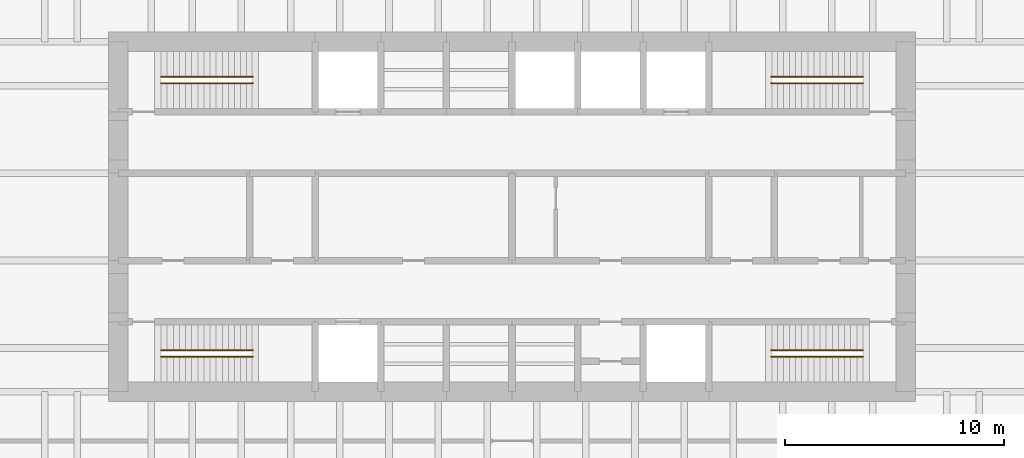
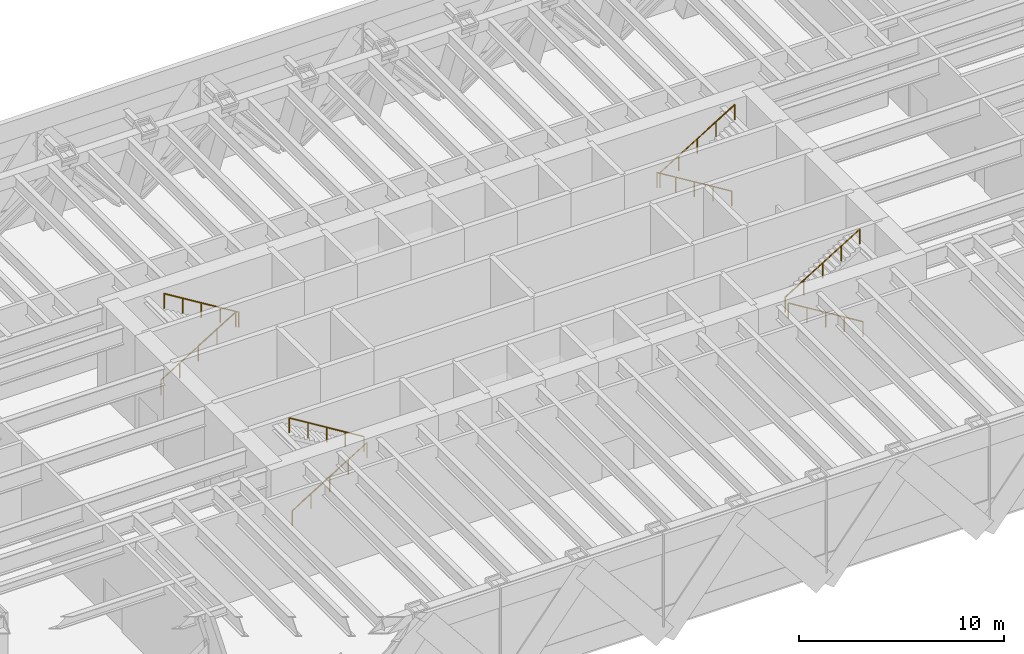
# One storey, part 16 of 16: 8 railings.
"""IFC4 building model written with IfcOpenShell, lengths in metres."""

import ifcopenshell
import ifcopenshell.guid

model = None  # the IFC model being written
_history = None  # IfcOwnerHistory: only IFC2X3 demands one
_inside = {}  # id of a spatial element -> (the spatial element, [elements in it])
_under = {}  # id of a project, library or spatial element -> (it, [spatial elements below it])
_declared = {}  # id of a project -> (the project, [libraries it declares])
_typed = {}  # id of a type object -> (the type object, [elements of that type])
_made_of = {}  # id of a material, layer set ... -> (it, [elements and type objects made of it])


def new_model(schema):
    """Start an empty IFC model of exactly this schema.

    Asked for "IFC4X3", IfcOpenShell would pick the latest addendum, in which some entities
    have other attributes; the version numbers below select the first issue.
    IFC2X3 requires an IfcOwnerHistory on every rooted entity: one is made here for all.
    """
    global model, _history
    if schema == "IFC4X3":
        model = ifcopenshell.file(schema_version=(4, 3, 0, 0))
    else:
        model = ifcopenshell.file(schema=schema)
    _inside.clear()
    _under.clear()
    _declared.clear()
    _typed.clear()
    _made_of.clear()
    _history = None
    if model.schema == "IFC2X3":
        org = make("IfcOrganization", Name="unknown")
        user = make(
            "IfcPersonAndOrganization",
            ThePerson=make("IfcPerson", FamilyName="unknown"),
            TheOrganization=org,
        )
        app = make(
            "IfcApplication",
            ApplicationDeveloper=org,
            Version="unknown",
            ApplicationFullName="unknown",
            ApplicationIdentifier="unknown",
        )
        _history = make(
            "IfcOwnerHistory",
            OwningUser=user,
            OwningApplication=app,
            ChangeAction="ADDED",
            CreationDate=0,
        )
    return model


def make(cls, **values):
    """One entity of the class cls with the attributes given. An attribute that is None is left unset."""
    return model.create_entity(
        cls, **{name: value for name, value in values.items() if value is not None}
    )


def rooted(cls, **values):
    """An entity with a GlobalId (a new one), such as an element, a storey or a relation."""
    return make(cls, GlobalId=ifcopenshell.guid.new(), OwnerHistory=_history, **values)


def si_unit(unit_type, name, prefix=None):
    """IfcSIUnit, for example si_unit("LENGTHUNIT", "METRE", prefix="MILLI")."""
    return make("IfcSIUnit", UnitType=unit_type, Prefix=prefix, Name=name)


def assignment(units):
    """IfcUnitAssignment: the units of a project."""
    return None if units is None else make("IfcUnitAssignment", Units=units)


def point(xyz):
    """IfcCartesianPoint."""
    return None if xyz is None else make("IfcCartesianPoint", Coordinates=xyz)


def direction(xyz):
    """IfcDirection."""
    return None if xyz is None else make("IfcDirection", DirectionRatios=xyz)


def frame(location, z_axis=None, x_axis=None):
    """IfcAxis2Placement3D, a coordinate frame: its origin and axes. An axis left out is left unset."""
    return make(
        "IfcAxis2Placement3D",
        Location=point(location),
        Axis=direction(z_axis),
        RefDirection=direction(x_axis),
    )


def frame_2d(location, x_axis=None):
    """IfcAxis2Placement2D, a coordinate frame in the plane: its origin and x axis."""
    return make(
        "IfcAxis2Placement2D", Location=point(location), RefDirection=direction(x_axis)
    )


def origin():
    """The frame at (0, 0, 0) with its axes left unset."""
    return frame((0.0, 0.0, 0.0))


def origin_2d():
    """The frame at (0, 0) in the plane with its x axis left unset."""
    return frame_2d((0.0, 0.0))


def place(relative_to, where):
    """IfcLocalPlacement: puts the frame where relative to a parent placement (None: the world)."""
    return make(
        "IfcLocalPlacement", PlacementRelTo=relative_to, RelativePlacement=where
    )


def context(
    kind, dimensions, precision=None, world=None, true_north=None, identifier=None
):
    """IfcGeometricRepresentationContext, for example the 3D "Model" context."""
    return make(
        "IfcGeometricRepresentationContext",
        ContextIdentifier=identifier,
        ContextType=kind,
        CoordinateSpaceDimension=dimensions,
        Precision=precision,
        WorldCoordinateSystem=world,
        TrueNorth=true_north,
    )


def subcontext(parent, identifier, kind, view, scale=None):
    """IfcGeometricRepresentationSubContext, for example "Body" below "Model"."""
    return make(
        "IfcGeometricRepresentationSubContext",
        ContextIdentifier=identifier,
        ContextType=kind,
        ParentContext=parent,
        TargetScale=scale,
        TargetView=view,
    )


def project(units=None, contexts=None):
    """IfcProject with its units and contexts."""
    return rooted(
        "IfcProject",
        Name="project",
        RepresentationContexts=contexts,
        UnitsInContext=assignment(units),
    )


def spatial(cls, under=None, at=None, **own):
    """A site, building, storey or space (cls), placed at a placement, below another one or the project."""
    s = rooted(cls, ObjectPlacement=at, **own)
    if under is not None:
        _under.setdefault(under.id(), (under, []))[1].append(s)
    return s


def profile(cls, at=None, kind="AREA", **sizes):
    """A parametric profile (cls). Its sizes go by their IFC names, for example OverallWidth=200.0."""
    return make(cls, ProfileType=kind, Position=at, **sizes)


def circle(**sizes):
    """IfcCircleProfileDef."""
    return profile("IfcCircleProfileDef", **sizes)


def extrude(swept, where, along, depth):
    """IfcExtrudedAreaSolid: the profile swept, set in the frame where, extruded along a direction by depth."""
    return make(
        "IfcExtrudedAreaSolid",
        SweptArea=swept,
        Position=where,
        ExtrudedDirection=direction(along),
        Depth=depth,
    )


def shape(context_of_items, identifier, shape_type, items):
    """IfcShapeRepresentation: the items that make up one representation, for example the "Body"."""
    return make(
        "IfcShapeRepresentation",
        ContextOfItems=context_of_items,
        RepresentationIdentifier=identifier,
        RepresentationType=shape_type,
        Items=items,
    )


def material(Name=None, Category=None):
    """IfcMaterial."""
    return make("IfcMaterial", Name=Name, Category=Category)


def made_of(thing, what):
    """Note that an element or type object is made of a material, layer set ...; save() writes the relation."""
    if what is not None:
        _made_of.setdefault(what.id(), (what, []))[1].append(thing)
    return thing


def type_object(cls, material=None, **own):
    """A type object (cls), such as IfcWallType, which elements share."""
    return made_of(rooted(cls, **own), material)


def element(
    cls,
    number,
    at=None,
    inside=None,
    cuts=None,
    type_object=None,
    material=None,
    context=None,
    identifier="Body",
    shape_type=None,
    held_by="IfcProductDefinitionShape",
    body=None,
    shapes=None,
    **own,
):
    """One element of the class cls, such as IfcWall. Its Tag is "e" and its number.

    at: its placement. inside: the storey or other place that contains it. cuts: it is an
    opening in that element (IfcRelVoidsElement). A single representation is given by context,
    identifier, shape_type and body (its items); several are given by shapes. held_by: the class
    of the entity that holds the representations. save() writes the other relations.
    """
    e = rooted(cls, Tag="e%d" % number, ObjectPlacement=at, **own)
    if body is not None:
        shapes = [shape(context, identifier, shape_type, body)]
    if shapes is not None:
        e.Representation = make(held_by, Representations=shapes)
    if inside is not None:
        _inside.setdefault(inside.id(), (inside, []))[1].append(e)
    if cuts is not None:
        rooted(
            "IfcRelVoidsElement", RelatingBuildingElement=cuts, RelatedOpeningElement=e
        )
    if type_object is not None:
        _typed.setdefault(type_object.id(), (type_object, []))[1].append(e)
    return made_of(e, material)


def aggregate(whole, parts):
    """IfcRelAggregates: a whole, such as a stair, and the parts it consists of."""
    return rooted("IfcRelAggregates", RelatingObject=whole, RelatedObjects=parts)


def save(model, path):
    """Write the relations noted so far, then the file.

    IfcRelAggregates (storeys below a building ...), IfcRelContainedInSpatialStructure (elements
    in a storey), IfcRelDefinesByType, IfcRelAssociatesMaterial and IfcRelDeclares: one each for
    every whole, place, type object, material and project.
    """
    for whole, parts in _under.values():
        aggregate(whole, parts)
    for where, things in _inside.values():
        rooted(
            "IfcRelContainedInSpatialStructure",
            RelatedElements=things,
            RelatingStructure=where,
        )
    for kind, things in _typed.values():
        rooted("IfcRelDefinesByType", RelatedObjects=things, RelatingType=kind)
    for what, things in _made_of.values():
        rooted("IfcRelAssociatesMaterial", RelatedObjects=things, RelatingMaterial=what)
    for by, libraries in _declared.values():
        rooted("IfcRelDeclares", RelatingContext=by, RelatedDefinitions=libraries)
    model.write(path)


model = new_model("IFC4")

# Units and contexts
model_context = context("Model", 3, precision=1e-05, world=origin(), true_north=direction((0.0, 1.0)))
body_context = subcontext(model_context, "Body", "Model", "MODEL_VIEW")
ifc_project = project(units=[si_unit("LENGTHUNIT", "METRE"), si_unit("AREAUNIT", "SQUARE_METRE"), si_unit("VOLUMEUNIT", "CUBIC_METRE"), si_unit("PLANEANGLEUNIT", "RADIAN"), si_unit("MASSUNIT", "GRAM", prefix="KILO")], contexts=[model_context])

# Site, building, storey
site_placement = place(None, origin())
site = spatial("IfcSite", under=ifc_project, at=site_placement, CompositionType="ELEMENT")
building_placement = place(site_placement, origin())
building = spatial("IfcBuilding", under=site, at=building_placement, Name="Rheinbord Bourse Tower", CompositionType="ELEMENT")
storey_placement = place(building_placement, frame((0.0, 0.0, 180.300048828125)))
storey = spatial("IfcBuildingStorey", under=building, at=storey_placement, Name="L40", CompositionType="ELEMENT", Elevation=180.300048828125)

# Railings
ifc_material = material(Name="Steel handrail", Category="steel")
railing_type = type_object("IfcRailingType", Name="HANDRAIL 900", PredefinedType="HANDRAIL", material=ifc_material)
railing_1_placement = place(storey_placement, frame((19.949951171875, 17.60009765625, 0.171875)))
element("IfcRailing", 1, at=railing_1_placement, inside=storey, type_object=railing_type, Name="Handrail", PredefinedType="HANDRAIL", context=body_context, shape_type="SweptSolid", body=[
    extrude(circle(Radius=0.02392578125, at=origin_2d()), frame((0.0, 0.0, 0.8759765625), z_axis=(0.852242915053, 0.0, 0.523146264196), x_axis=(0.0, 1.0, 0.0)), (0.0, 0.0, 1.0), 4.92822265625),
    extrude(circle(Radius=0.02099609375, at=origin_2d()), origin(), (0.0, 0.0, 1.0), 0.851806640625),
    extrude(circle(Radius=0.02099609375, at=origin_2d()), frame((1.050048828125, 0.0, 0.64453125)), (0.0, 0.0, 1.0), 0.851806640625),
    extrude(circle(Radius=0.02099609375, at=origin_2d()), frame((2.10009765625, 0.0, 1.2890625)), (0.0, 0.0, 1.0), 0.851806640625),
    extrude(circle(Radius=0.02099609375, at=origin_2d()), frame((3.14990234375, 0.0, 1.93359375)), (0.0, 0.0, 1.0), 0.851806640625),
    extrude(circle(Radius=0.02099609375, at=origin_2d()), frame((4.199951171875, 0.0, 2.578125)), (0.0, 0.0, 1.0), 0.851806640625),
])
railing_2_placement = place(storey_placement, frame((24.14990234375, 17.89990234375, 2.921875)))
element("IfcRailing", 2, at=railing_2_placement, inside=storey, type_object=railing_type, Name="Handrail", PredefinedType="HANDRAIL", context=body_context, shape_type="SweptSolid", body=[
    extrude(circle(Radius=0.02392578125, at=origin_2d()), frame((0.0, 0.0, 0.8759765625), z_axis=(-0.852242915053, 0.0, 0.523146264196), x_axis=(0.0, -1.0, 0.0)), (0.0, 0.0, 1.0), 4.92822265625),
    extrude(circle(Radius=0.02099609375, at=origin_2d()), origin(), (0.0, 0.0, 1.0), 0.851806640625),
    extrude(circle(Radius=0.02099609375, at=origin_2d()), frame((-1.050048828125, 0.0, 0.64453125)), (0.0, 0.0, 1.0), 0.851806640625),
    extrude(circle(Radius=0.02099609375, at=origin_2d()), frame((-2.10009765625, 0.0, 1.2890625)), (0.0, 0.0, 1.0), 0.851806640625),
    extrude(circle(Radius=0.02099609375, at=origin_2d()), frame((-3.14990234375, 0.0, 1.93359375)), (0.0, 0.0, 1.0), 0.851806640625),
    extrude(circle(Radius=0.02099609375, at=origin_2d()), frame((-4.199951171875, 0.0, 2.578125)), (0.0, 0.0, 1.0), 0.851806640625),
])
railing_3_placement = place(storey_placement, frame((19.949951171875, 30.39990234375, 0.171875)))
element("IfcRailing", 3, at=railing_3_placement, inside=storey, type_object=railing_type, Name="Handrail", PredefinedType="HANDRAIL", context=body_context, shape_type="SweptSolid", body=[
    extrude(circle(Radius=0.02392578125, at=origin_2d()), frame((0.0, 0.0, 0.8759765625), z_axis=(0.852242915053, 0.0, 0.523146264196), x_axis=(0.0, 1.0, 0.0)), (0.0, 0.0, 1.0), 4.92822265625),
    extrude(circle(Radius=0.02099609375, at=origin_2d()), origin(), (0.0, 0.0, 1.0), 0.851806640625),
    extrude(circle(Radius=0.02099609375, at=origin_2d()), frame((1.050048828125, 0.0, 0.64453125)), (0.0, 0.0, 1.0), 0.851806640625),
    extrude(circle(Radius=0.02099609375, at=origin_2d()), frame((2.10009765625, 0.0, 1.2890625)), (0.0, 0.0, 1.0), 0.851806640625),
    extrude(circle(Radius=0.02099609375, at=origin_2d()), frame((3.14990234375, 0.0, 1.93359375)), (0.0, 0.0, 1.0), 0.851806640625),
    extrude(circle(Radius=0.02099609375, at=origin_2d()), frame((4.199951171875, 0.0, 2.578125)), (0.0, 0.0, 1.0), 0.851806640625),
])
for number, where, name in (
    (4, (24.14990234375, 30.10009765625, 2.921875), "Handrail"),
    (5, (52.050048828125, 17.60009765625, 0.171875), "Handrail"),
):
    element("IfcRailing", number, at=place(storey_placement, frame(where)), inside=storey, type_object=railing_type, Name=name, PredefinedType="HANDRAIL", context=body_context, shape_type="SweptSolid", body=[
        extrude(circle(Radius=0.02392578125, at=origin_2d()), frame((0.0, 0.0, 0.8759765625), z_axis=(-0.852242915053, 0.0, 0.523146264196), x_axis=(0.0, -1.0, 0.0)), (0.0, 0.0, 1.0), 4.92822265625),
        extrude(circle(Radius=0.02099609375, at=origin_2d()), origin(), (0.0, 0.0, 1.0), 0.851806640625),
        extrude(circle(Radius=0.02099609375, at=origin_2d()), frame((-1.050048828125, 0.0, 0.64453125)), (0.0, 0.0, 1.0), 0.851806640625),
        extrude(circle(Radius=0.02099609375, at=origin_2d()), frame((-2.10009765625, 0.0, 1.2890625)), (0.0, 0.0, 1.0), 0.851806640625),
        extrude(circle(Radius=0.02099609375, at=origin_2d()), frame((-3.14990234375, 0.0, 1.93359375)), (0.0, 0.0, 1.0), 0.851806640625),
        extrude(circle(Radius=0.02099609375, at=origin_2d()), frame((-4.199951171875, 0.0, 2.578125)), (0.0, 0.0, 1.0), 0.851806640625),
    ])
railing_4_placement = place(storey_placement, frame((47.85009765625, 17.89990234375, 2.921875)))
element("IfcRailing", 6, at=railing_4_placement, inside=storey, type_object=railing_type, Name="Handrail", PredefinedType="HANDRAIL", context=body_context, shape_type="SweptSolid", body=[
    extrude(circle(Radius=0.02392578125, at=origin_2d()), frame((0.0, 0.0, 0.8759765625), z_axis=(0.852242915053, 0.0, 0.523146264196), x_axis=(0.0, 1.0, 0.0)), (0.0, 0.0, 1.0), 4.92822265625),
    extrude(circle(Radius=0.02099609375, at=origin_2d()), origin(), (0.0, 0.0, 1.0), 0.851806640625),
    extrude(circle(Radius=0.02099609375, at=origin_2d()), frame((1.050048828125, 0.0, 0.64453125)), (0.0, 0.0, 1.0), 0.851806640625),
    extrude(circle(Radius=0.02099609375, at=origin_2d()), frame((2.10009765625, 0.0, 1.2890625)), (0.0, 0.0, 1.0), 0.851806640625),
    extrude(circle(Radius=0.02099609375, at=origin_2d()), frame((3.14990234375, 0.0, 1.93359375)), (0.0, 0.0, 1.0), 0.851806640625),
    extrude(circle(Radius=0.02099609375, at=origin_2d()), frame((4.199951171875, 0.0, 2.578125)), (0.0, 0.0, 1.0), 0.851806640625),
])
railing_5_placement = place(storey_placement, frame((52.050048828125, 30.39990234375, 0.171875)))
element("IfcRailing", 7, at=railing_5_placement, inside=storey, type_object=railing_type, Name="Handrail", PredefinedType="HANDRAIL", context=body_context, shape_type="SweptSolid", body=[
    extrude(circle(Radius=0.02392578125, at=origin_2d()), frame((0.0, 0.0, 0.8759765625), z_axis=(-0.852242915053, 0.0, 0.523146264196), x_axis=(0.0, -1.0, 0.0)), (0.0, 0.0, 1.0), 4.92822265625),
    extrude(circle(Radius=0.02099609375, at=origin_2d()), origin(), (0.0, 0.0, 1.0), 0.851806640625),
    extrude(circle(Radius=0.02099609375, at=origin_2d()), frame((-1.050048828125, 0.0, 0.64453125)), (0.0, 0.0, 1.0), 0.851806640625),
    extrude(circle(Radius=0.02099609375, at=origin_2d()), frame((-2.10009765625, 0.0, 1.2890625)), (0.0, 0.0, 1.0), 0.851806640625),
    extrude(circle(Radius=0.02099609375, at=origin_2d()), frame((-3.14990234375, 0.0, 1.93359375)), (0.0, 0.0, 1.0), 0.851806640625),
    extrude(circle(Radius=0.02099609375, at=origin_2d()), frame((-4.199951171875, 0.0, 2.578125)), (0.0, 0.0, 1.0), 0.851806640625),
])
railing_6_placement = place(storey_placement, frame((47.85009765625, 30.10009765625, 2.921875)))
element("IfcRailing", 8, at=railing_6_placement, inside=storey, type_object=railing_type, Name="Handrail", PredefinedType="HANDRAIL", context=body_context, shape_type="SweptSolid", body=[
    extrude(circle(Radius=0.02392578125, at=origin_2d()), frame((0.0, 0.0, 0.8759765625), z_axis=(0.852242915053, 0.0, 0.523146264196), x_axis=(0.0, 1.0, 0.0)), (0.0, 0.0, 1.0), 4.92822265625),
    extrude(circle(Radius=0.02099609375, at=origin_2d()), origin(), (0.0, 0.0, 1.0), 0.851806640625),
    extrude(circle(Radius=0.02099609375, at=origin_2d()), frame((1.050048828125, 0.0, 0.64453125)), (0.0, 0.0, 1.0), 0.851806640625),
    extrude(circle(Radius=0.02099609375, at=origin_2d()), frame((2.10009765625, 0.0, 1.2890625)), (0.0, 0.0, 1.0), 0.851806640625),
    extrude(circle(Radius=0.02099609375, at=origin_2d()), frame((3.14990234375, 0.0, 1.93359375)), (0.0, 0.0, 1.0), 0.851806640625),
    extrude(circle(Radius=0.02099609375, at=origin_2d()), frame((4.199951171875, 0.0, 2.578125)), (0.0, 0.0, 1.0), 0.851806640625),
])

save(model, "model.ifc")
